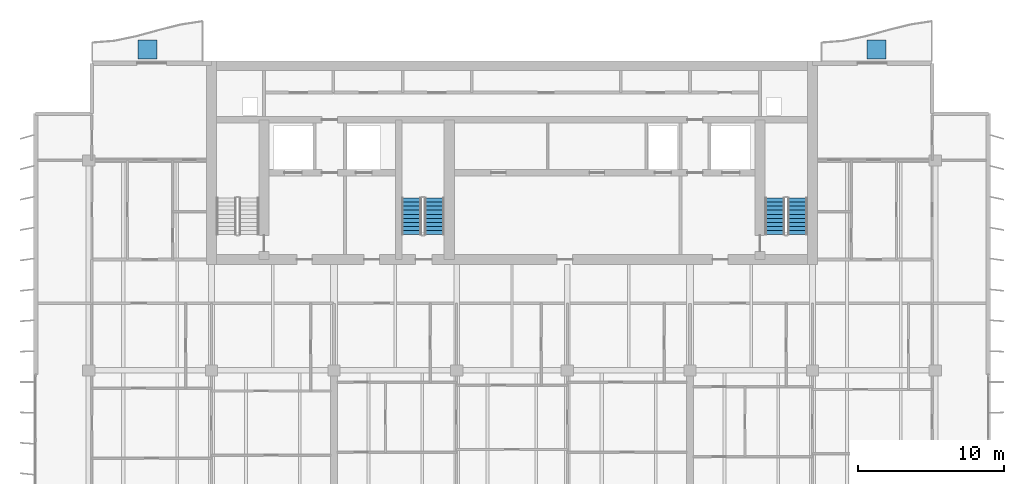
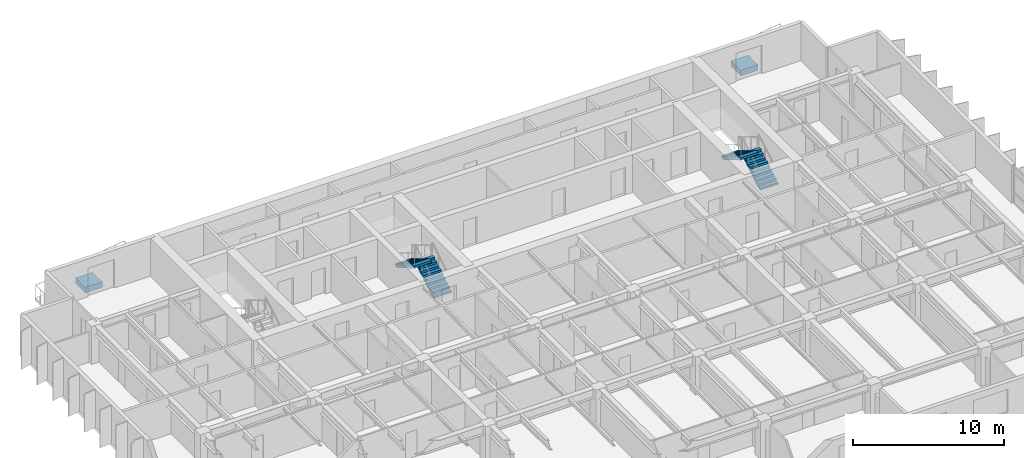
# One storey, part 13 of 17: 4 stair flights, 2 discrete accessories, 2 elements without a shape of their own.
"""IFC4 building model written with IfcOpenShell, lengths in metres."""

from ifc_helpers import new_model, si_unit, direction, frame, origin, origin_2d, place, context, subcontext, project, spatial, polyline, rectangle, outline, extrude, material, type_object, element, aggregate, save


model = new_model("IFC4")

# Units and contexts
model_context = context("Model", 3, precision=1e-05, world=origin(), true_north=direction((0.0, 1.0)))
body_context = subcontext(model_context, "Body", "Model", "MODEL_VIEW")
ifc_project = project(units=[si_unit("LENGTHUNIT", "METRE"), si_unit("AREAUNIT", "SQUARE_METRE"), si_unit("VOLUMEUNIT", "CUBIC_METRE"), si_unit("PLANEANGLEUNIT", "RADIAN"), si_unit("MASSUNIT", "GRAM", prefix="KILO")], contexts=[model_context])

# Site, building, storey
site_placement = place(None, origin())
site = spatial("IfcSite", under=ifc_project, at=site_placement, CompositionType="ELEMENT")
building_placement = place(site_placement, origin())
building = spatial("IfcBuilding", under=site, at=building_placement, Name="Caelmar Bay Residences", CompositionType="ELEMENT")
storey_placement = place(building_placement, frame((0.0, 0.0, 208.199951171875)))
storey = spatial("IfcBuildingStorey", under=building, at=storey_placement, Name="L58", CompositionType="ELEMENT", Elevation=208.199951171875)

# Stair, stair flights
ifc_material_1 = material(Name="Concrete f'c 40 MPa (6,000 psi)", Category="concrete")
stair_type = type_object("IfcStairType", Name="ST-TYP-165", PredefinedType="HALF_TURN_STAIR", material=ifc_material_1)
stair_1_placement = place(storey_placement, origin())
stair_1 = element("IfcStair", 1, at=stair_1_placement, inside=storey, type_object=stair_type, Name="L58 East Smokeproof Exit Stair ST2", PredefinedType="HALF_TURN_STAIR")
stair_flight_type = type_object("IfcStairFlightType", Name="STF-1350", PredefinedType="STRAIGHT", material=ifc_material_1)
stair_flight_1_placement = place(storey_placement, frame((58.47509765625, 38.699951171875, 0.0), z_axis=(0.0, 0.0, 1.0), x_axis=(0.0, 1.0, 0.0)))
stair_flight_1 = element("IfcStairFlight", 2, at=stair_flight_1_placement, type_object=stair_flight_type, Name="ST2 flight 1", NumberOfRisers=10, NumberOfTreads=9, PredefinedType="STRAIGHT", RiserHeight=0.165, TreadLength=0.28, context=body_context, shape_type="SweptSolid", body=[
    extrude(outline(polyline([(0.0, 0.0), (0.0, 0.1650390625), (0.280029296875, 0.1650390625), (0.280029296875, 0.330078125), (0.56005859375, 0.330078125), (0.56005859375, 0.4951171875), (0.840087890625, 0.4951171875), (0.840087890625, 0.659912109375), (1.1201171875, 0.659912109375), (1.1201171875, 0.824951171875), (1.39990234375, 0.824951171875), (1.39990234375, 0.989990234375), (1.679931640625, 0.989990234375), (1.679931640625, 1.155029296875), (1.9599609375, 1.155029296875), (1.9599609375, 1.320068359375), (2.239990234375, 1.320068359375), (2.239990234375, 1.485107421875), (2.52001953125, 1.485107421875), (2.52001953125, 1.64990234375), (2.52001953125, 1.31103515625), (0.295166015625, 0.0), (0.0, 0.0)])), frame((0.0, 0.675048828125, 0.0), z_axis=(0.0, -1.0, 0.0), x_axis=(1.0, 0.0, 0.0)), (0.0, 0.0, 1.0), 1.35009765625),
])
stair_flight_2_placement = place(storey_placement, frame((56.925048828125, 41.219970703125, 1.650146484375), z_axis=(0.0, 0.0, 1.0), x_axis=(0.0, -1.0, 0.0)))
stair_flight_2 = element("IfcStairFlight", 3, at=stair_flight_2_placement, type_object=stair_flight_type, Name="ST2 flight 2", NumberOfRisers=10, NumberOfTreads=9, PredefinedType="STRAIGHT", RiserHeight=0.165, TreadLength=0.28, context=body_context, shape_type="SweptSolid", body=[
    extrude(outline(polyline([(0.0, 0.0), (0.0, 0.1650390625), (0.280029296875, 0.1650390625), (0.280029296875, 0.330078125), (0.56005859375, 0.330078125), (0.56005859375, 0.4951171875), (0.840087890625, 0.4951171875), (0.840087890625, 0.659912109375), (1.1201171875, 0.659912109375), (1.1201171875, 0.824951171875), (1.39990234375, 0.824951171875), (1.39990234375, 0.989990234375), (1.679931640625, 0.989990234375), (1.679931640625, 1.155029296875), (1.9599609375, 1.155029296875), (1.9599609375, 1.320068359375), (2.239990234375, 1.320068359375), (2.239990234375, 1.485107421875), (2.52001953125, 1.485107421875), (2.52001953125, 1.64990234375), (2.52001953125, 1.31103515625), (0.295166015625, 0.0), (0.0, 0.0)])), frame((0.0, 0.675048828125, 0.0), z_axis=(0.0, -1.0, 0.0), x_axis=(1.0, 0.0, 0.0)), (0.0, 0.0, 1.0), 1.35009765625),
])
aggregate(stair_1, [stair_flight_1, stair_flight_2])

stair_2_placement = place(storey_placement, origin())
stair_2 = element("IfcStair", 4, at=stair_2_placement, inside=storey, type_object=stair_type, Name="L58 Central Smokeproof Exit Stair ST3", PredefinedType="HALF_TURN_STAIR")
stair_flight_3_placement = place(storey_placement, frame((33.574951171875, 38.699951171875, 0.0), z_axis=(0.0, 0.0, 1.0), x_axis=(0.0, 1.0, 0.0)))
stair_flight_3 = element("IfcStairFlight", 5, at=stair_flight_3_placement, type_object=stair_flight_type, Name="ST3 flight 1", NumberOfRisers=10, NumberOfTreads=9, PredefinedType="STRAIGHT", RiserHeight=0.165, TreadLength=0.28, context=body_context, shape_type="SweptSolid", body=[
    extrude(outline(polyline([(0.0, 0.0), (0.0, 0.1650390625), (0.280029296875, 0.1650390625), (0.280029296875, 0.330078125), (0.56005859375, 0.330078125), (0.56005859375, 0.4951171875), (0.840087890625, 0.4951171875), (0.840087890625, 0.659912109375), (1.1201171875, 0.659912109375), (1.1201171875, 0.824951171875), (1.39990234375, 0.824951171875), (1.39990234375, 0.989990234375), (1.679931640625, 0.989990234375), (1.679931640625, 1.155029296875), (1.9599609375, 1.155029296875), (1.9599609375, 1.320068359375), (2.239990234375, 1.320068359375), (2.239990234375, 1.485107421875), (2.52001953125, 1.485107421875), (2.52001953125, 1.64990234375), (2.52001953125, 1.31103515625), (0.295166015625, 0.0), (0.0, 0.0)])), frame((0.0, 0.675048828125, 0.0), z_axis=(0.0, -1.0, 0.0), x_axis=(1.0, 0.0, 0.0)), (0.0, 0.0, 1.0), 1.35009765625),
])
stair_flight_4_placement = place(storey_placement, frame((32.02490234375, 41.219970703125, 1.650146484375), z_axis=(0.0, 0.0, 1.0), x_axis=(0.0, -1.0, 0.0)))
stair_flight_4 = element("IfcStairFlight", 6, at=stair_flight_4_placement, type_object=stair_flight_type, Name="ST3 flight 2", NumberOfRisers=10, NumberOfTreads=9, PredefinedType="STRAIGHT", RiserHeight=0.165, TreadLength=0.28, context=body_context, shape_type="SweptSolid", body=[
    extrude(outline(polyline([(0.0, 0.0), (0.0, 0.1650390625), (0.280029296875, 0.1650390625), (0.280029296875, 0.330078125), (0.56005859375, 0.330078125), (0.56005859375, 0.4951171875), (0.840087890625, 0.4951171875), (0.840087890625, 0.659912109375), (1.1201171875, 0.659912109375), (1.1201171875, 0.824951171875), (1.39990234375, 0.824951171875), (1.39990234375, 0.989990234375), (1.679931640625, 0.989990234375), (1.679931640625, 1.155029296875), (1.9599609375, 1.155029296875), (1.9599609375, 1.320068359375), (2.239990234375, 1.320068359375), (2.239990234375, 1.485107421875), (2.52001953125, 1.485107421875), (2.52001953125, 1.64990234375), (2.52001953125, 1.31103515625), (0.295166015625, 0.0), (0.0, 0.0)])), frame((0.0, 0.675048828125, 0.0), z_axis=(0.0, -1.0, 0.0), x_axis=(1.0, 0.0, 0.0)), (0.0, 0.0, 1.0), 1.35009765625),
])
aggregate(stair_2, [stair_flight_3, stair_flight_4])

# Discrete accessories
ifc_material_2 = material(Name="Precast concrete f'c 40 MPa (6,000 psi)", Category="concrete")
discrete_accessory_type = type_object("IfcDiscreteAccessoryType", Name="STR-PLANTER-KERB-450", PredefinedType="USERDEFINED", material=ifc_material_2)
for number, where, z_axis, x_axis, name in (
    (7, (13.89990234375, 51.39990234375, 0.0), (0.0, 0.0, 1.0), (1.0, 0.0, 0.0), "L58 north_west Structural Tree Planter Kerb"),
    (8, (63.89990234375, 51.39990234375, 0.0), (0.0, 0.0, 1.0), (1.0, 0.0, 0.0), "L58 north_east Structural Tree Planter Kerb"),
):
    element("IfcDiscreteAccessory", number, at=place(storey_placement, frame(where, z_axis=z_axis, x_axis=x_axis)), inside=storey, type_object=discrete_accessory_type, Name=name, ObjectType="PLANTER", PredefinedType="USERDEFINED", context=body_context, shape_type="SweptSolid", body=[
        extrude(rectangle(XDim=1.300048828125, YDim=1.300048828125, at=origin_2d()), origin(), (0.0, 0.0, 1.0), 0.449951171875),
    ])

save(model, "model.ifc")
